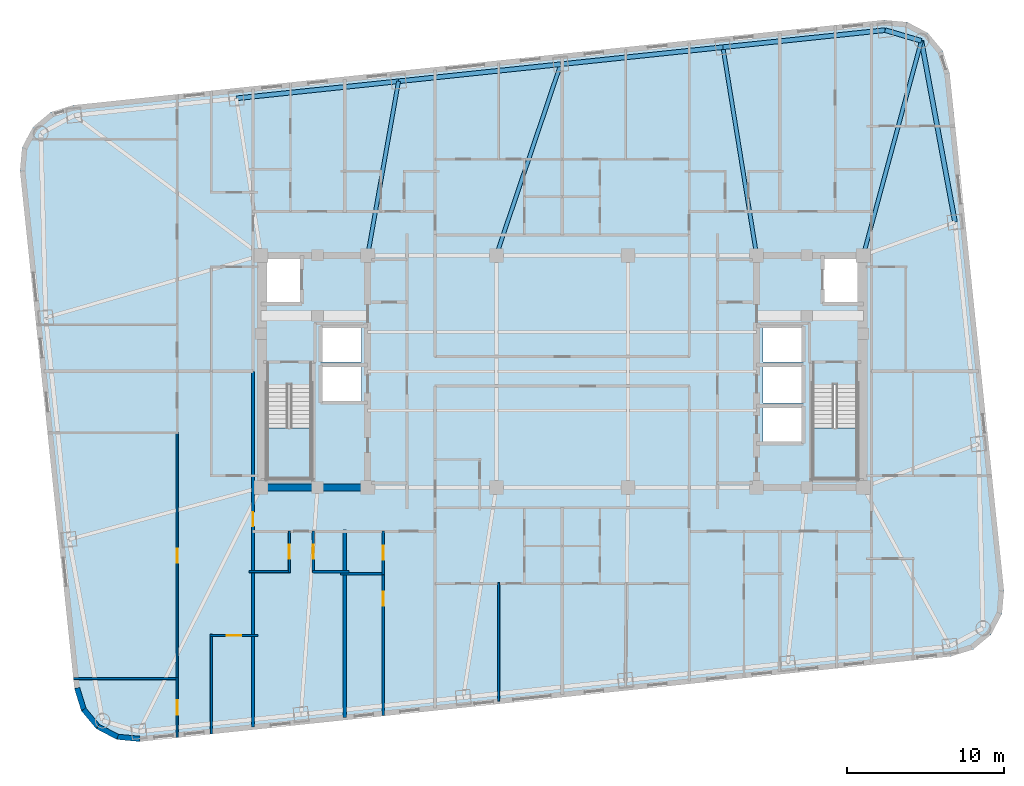
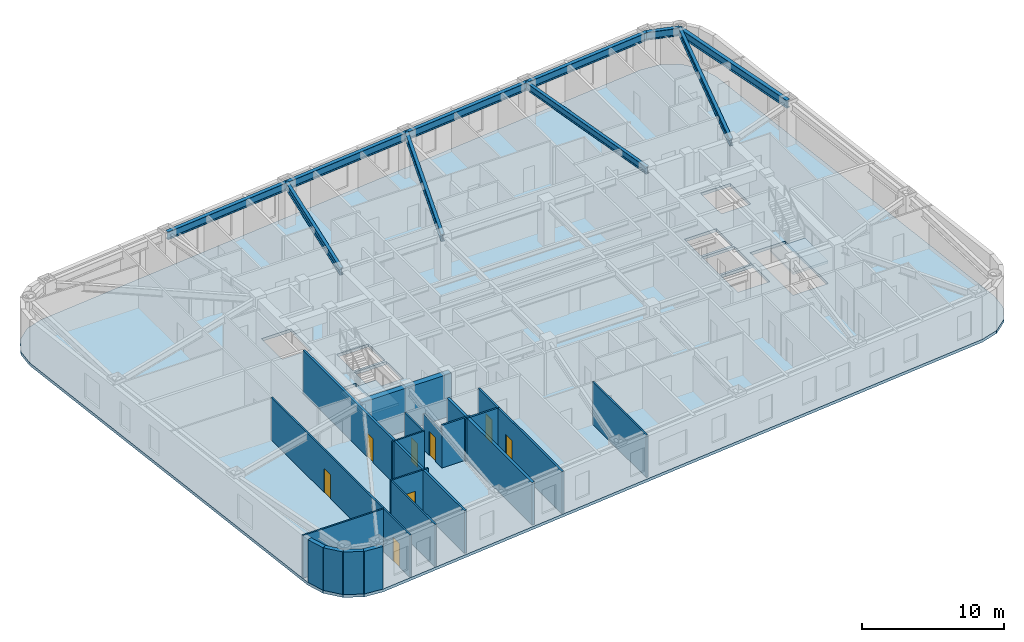
# One storey, part 2 of 12: 20 walls, 10 beams, 8 doors, 3 slabs, 8 openings, 2 elements without a shape of their own.
"""IFC4 building model written with IfcOpenShell, lengths in metres."""

from ifc_helpers import new_model, si_unit, direction, frame, frame_2d, origin, origin_2d, place, context, subcontext, project, spatial, polyline, rectangle, i_section, outline, extrude, material, layer, layer_set, material_profile, profile_set, type_object, element, fill, aggregate, save


model = new_model("IFC4")

# Units and contexts
model_context = context("Model", 3, precision=1e-05, world=origin(), true_north=direction((0.0, 1.0)))
body_context = subcontext(model_context, "Body", "Model", "MODEL_VIEW")
ifc_project = project(units=[si_unit("LENGTHUNIT", "METRE"), si_unit("AREAUNIT", "SQUARE_METRE"), si_unit("VOLUMEUNIT", "CUBIC_METRE"), si_unit("PLANEANGLEUNIT", "RADIAN"), si_unit("MASSUNIT", "GRAM", prefix="KILO")], contexts=[model_context])

# Site, building, storey
site_placement = place(None, origin())
site = spatial("IfcSite", under=ifc_project, at=site_placement, CompositionType="ELEMENT")
building_placement = place(site_placement, origin())
building = spatial("IfcBuilding", under=site, at=building_placement, Name="Voryun Gate Residences", CompositionType="ELEMENT")
storey_placement = place(building_placement, frame((0.0, 0.0, 187.199951171875)))
storey = spatial("IfcBuildingStorey", under=building, at=storey_placement, Name="L46", CompositionType="ELEMENT", Elevation=187.199951171875)

# Beams
ifc_material_1 = material(Name="Steel SM355", Category="steel")
ifc_material_profile_1 = material_profile(ifc_material_1, i_section(OverallWidth=0.300048828125, OverallDepth=0.679931640625, WebThickness=0.013916015625, FlangeThickness=0.02490234375, FilletRadius=0.01806640625, at=origin_2d()), Name="H-680x300x14x25")
ifc_profile_set_1 = profile_set([ifc_material_profile_1], Name="Steel SM355")
beam_type_1 = type_object("IfcBeamType", Name="BM_EXO_SPANDREL_M", PredefinedType="SPANDREL", material=ifc_profile_set_1)
beam_1_placement = place(storey_placement, frame((25.047119140625, 9.51806640625, 3.31005859375), z_axis=(-0.182267768769, 0.983248931079, 0.0), x_axis=(-0.983248931079, -0.182267768769, 0.0)))
element("IfcBeam", 1, at=beam_1_placement, inside=storey, type_object=beam_type_1, Name="BM-L46-SPAND-09", PredefinedType="SPANDREL", context=body_context, shape_type="SweptSolid", body=[
    extrude(i_section(OverallWidth=0.300048828125, OverallDepth=0.679931640625, WebThickness=0.013916015625, FlangeThickness=0.02490234375, FilletRadius=0.01806640625, at=origin_2d()), origin(), (0.0, 0.0, 1.0), 11.753662109375),
])
beam_2_placement = place(storey_placement, frame((22.90478515625, 21.074951171875, 3.31005859375), z_axis=(-0.958843048967, 0.283936625758, 0.0), x_axis=(-0.283936625758, -0.958843048967, 0.0)))
element("IfcBeam", 2, at=beam_2_placement, inside=storey, type_object=beam_type_1, Name="BM-L46-SPAND-10", PredefinedType="SPANDREL", context=body_context, shape_type="SweptSolid", body=[
    extrude(i_section(OverallWidth=0.300048828125, OverallDepth=0.679931640625, WebThickness=0.013916015625, FlangeThickness=0.02490234375, FilletRadius=0.01806640625, at=origin_2d()), origin(), (0.0, 0.0, 1.0), 2.410888671875),
])
for number, where, z_axis, x_axis, name in (
    (3, (20.593017578125, 21.759521484375, 3.31005859375), (-0.994521263116, -0.104534478571, 0.0), (0.104534478571, -0.994521263116, 0.0), "BM-L46-SPAND-11"),
    (4, (10.25, 20.67236328125, 3.31005859375), (-0.99452370336, -0.10451125994, 0.0), (0.10451125994, -0.99452370336, 0.0), "BM-L46-SPAND-12"),
    (5, (-0.093017578125, 19.58544921875, 3.31005859375), (-0.994521263116, -0.104534478571, 0.0), (0.104534478571, -0.994521263116, 0.0), "BM-L46-SPAND-13"),
    (6, (-10.43603515625, 18.498291015625, 3.31005859375), (-0.994521263116, -0.104534478571, 0.0), (0.104534478571, -0.994521263116, 0.0), "BM-L46-SPAND-14"),
):
    element("IfcBeam", number, at=place(storey_placement, frame(where, z_axis=z_axis, x_axis=x_axis)), inside=storey, type_object=beam_type_1, Name=name, PredefinedType="SPANDREL", context=body_context, shape_type="SweptSolid", body=[
        extrude(i_section(OverallWidth=0.300048828125, OverallDepth=0.679931640625, WebThickness=0.013916015625, FlangeThickness=0.02490234375, FilletRadius=0.01806640625, at=origin_2d()), origin(), (0.0, 0.0, 1.0), 10.39990234375),
    ])
ifc_material_2 = material(Name="Steel SM355", Category="steel")
ifc_material_profile_2 = material_profile(ifc_material_2, i_section(OverallWidth=0.25, OverallDepth=0.60009765625, WebThickness=0.011962890625, FlangeThickness=0.02197265625, FilletRadius=0.01806640625, at=origin_2d()), Name="H-600x250x12x22")
ifc_profile_set_2 = profile_set([ifc_material_profile_2], Name="Steel SM355")
beam_type_2 = type_object("IfcBeamType", Name="BM_GIRD_600", PredefinedType="USERDEFINED", material=ifc_profile_set_2)
beam_3_placement = place(storey_placement, frame((19.199951171875, 7.39990234375, 3.35009765625), z_axis=(0.261492735838, 0.965205443988, 0.0), x_axis=(-0.965205443988, 0.261492735838, 0.0)))
element("IfcBeam", 7, at=beam_3_placement, inside=storey, type_object=beam_type_2, Name="BM-L46-RAD-CNE", ObjectType="GIRDER", PredefinedType="USERDEFINED", context=body_context, shape_type="SweptSolid", body=[
    extrude(i_section(OverallWidth=0.25, OverallDepth=0.60009765625, WebThickness=0.011962890625, FlangeThickness=0.02197265625, FilletRadius=0.01806640625, at=origin_2d()), origin(), (0.0, 0.0, 1.0), 14.16796875),
])
beam_4_placement = place(storey_placement, frame((12.39990234375, 7.39990234375, 3.35009765625), z_axis=(-0.159898055533, 0.987133532931, 0.0), x_axis=(-0.987133532931, -0.159898055533, 0.0)))
element("IfcBeam", 8, at=beam_4_placement, inside=storey, type_object=beam_type_2, Name="BM-L46-RAD-N2", ObjectType="GIRDER", PredefinedType="USERDEFINED", context=body_context, shape_type="SweptSolid", body=[
    extrude(i_section(OverallWidth=0.25, OverallDepth=0.60009765625, WebThickness=0.011962890625, FlangeThickness=0.02197265625, FilletRadius=0.01806640625, at=origin_2d()), origin(), (0.0, 0.0, 1.0), 13.445556640625),
])
beam_5_placement = place(storey_placement, frame((-4.199951171875, 7.39990234375, 3.35009765625), z_axis=(0.319381479956, 0.947626229197, 0.0), x_axis=(-0.947626229197, 0.319381479956, 0.0)))
element("IfcBeam", 9, at=beam_5_placement, inside=storey, type_object=beam_type_2, Name="BM-L46-RAD-N3", ObjectType="GIRDER", PredefinedType="USERDEFINED", context=body_context, shape_type="SweptSolid", body=[
    extrude(i_section(OverallWidth=0.25, OverallDepth=0.60009765625, WebThickness=0.011962890625, FlangeThickness=0.02197265625, FilletRadius=0.01806640625, at=origin_2d()), origin(), (0.0, 0.0, 1.0), 12.859130859375),
])
beam_6_placement = place(storey_placement, frame((-12.39990234375, 7.39990234375, 3.35009765625), z_axis=(0.174243764839, 0.984702549207, 0.0), x_axis=(-0.984702549207, 0.174243764839, 0.0)))
element("IfcBeam", 10, at=beam_6_placement, inside=storey, type_object=beam_type_2, Name="BM-L46-RAD-N4", ObjectType="GIRDER", PredefinedType="USERDEFINED", context=body_context, shape_type="SweptSolid", body=[
    extrude(i_section(OverallWidth=0.25, OverallDepth=0.60009765625, WebThickness=0.011962890625, FlangeThickness=0.02197265625, FilletRadius=0.01806640625, at=origin_2d()), origin(), (0.0, 0.0, 1.0), 11.270751953125),
])

# Slab
ifc_material_3 = material(Name="Concrete C40/50", Category="concrete")
ifc_layer_1 = layer(ifc_material_3, 0.25, Name="SLB_RES_250")
ifc_layer_set_1 = layer_set([ifc_layer_1], Name="Concrete C40/50")
slab_type_1 = type_object("IfcSlabType", Name="SLB_RES_250", PredefinedType="FLOOR", material=ifc_layer_set_1)
slab_1_placement = place(storey_placement, frame((0.0, 0.0, -0.25)))
element("IfcSlab", 11, at=slab_1_placement, inside=storey, type_object=slab_type_1, Name="L46 Structural Floor Slab", PredefinedType="FLOOR", context=body_context, shape_type="SweptSolid", body=[
    extrude(outline(polyline([(-26.92529296875, -23.60595703125), (-28.401611328125, -23.47021484375), (-29.7138671875, -22.780029296875), (-30.661865234375, -21.639892578125), (-31.1015625, -20.22412109375), (-34.572021484375, 12.794189453125), (-34.436279296875, 14.2705078125), (-33.745849609375, 15.582763671875), (-32.60595703125, 16.53076171875), (-31.18994140625, 16.970458984375), (20.525146484375, 22.406005859375), (22.001708984375, 22.270263671875), (23.313720703125, 21.580078125), (24.261962890625, 20.43994140625), (24.70166015625, 19.02392578125), (28.171875, -13.994140625), (28.036376953125, -15.470458984375), (27.345947265625, -16.78271484375), (26.2060546875, -17.730712890625), (24.7900390625, -18.17041015625), (-26.92529296875, -23.60595703125)]), holes=[polyline([(-15.97509765625, -6.85009765625), (-15.97509765625, -0.840087890625), (-18.824951171875, -0.840087890625), (-18.824951171875, -6.85009765625), (-15.97509765625, -6.85009765625)]), polyline([(18.824951171875, -6.85009765625), (18.824951171875, -0.840087890625), (15.97509765625, -0.840087890625), (15.97509765625, -6.85009765625), (18.824951171875, -6.85009765625)]), polyline([(15.39990234375, -2.199951171875), (12.800048828125, -2.199951171875), (12.800048828125, -4.60009765625), (15.39990234375, -4.60009765625), (15.39990234375, -2.199951171875)]), polyline([(-12.800048828125, 0.39990234375), (-15.39990234375, 0.39990234375), (-15.39990234375, -2.0), (-12.800048828125, -2.0), (-12.800048828125, 0.39990234375)]), polyline([(15.39990234375, 0.39990234375), (12.800048828125, 0.39990234375), (12.800048828125, -2.0), (15.39990234375, -2.0), (15.39990234375, 0.39990234375)]), polyline([(-12.800048828125, 2.89990234375), (-15.39990234375, 2.89990234375), (-15.39990234375, 0.60009765625), (-12.800048828125, 0.60009765625), (-12.800048828125, 2.89990234375)]), polyline([(15.39990234375, 2.89990234375), (12.800048828125, 2.89990234375), (12.800048828125, 0.60009765625), (15.39990234375, 0.60009765625), (15.39990234375, 2.89990234375)]), polyline([(-16.60009765625, 4.300048828125), (-16.60009765625, 7.199951171875), (-19.0, 7.199951171875), (-19.0, 4.300048828125), (-16.60009765625, 4.300048828125)]), polyline([(19.0, 4.300048828125), (19.0, 7.199951171875), (16.60009765625, 7.199951171875), (16.60009765625, 4.300048828125), (19.0, 4.300048828125)])]), origin(), (0.0, 0.0, 1.0), 0.25),
])

# Stair, slab
ifc_material_4 = material(Name="Concrete C40/50", Category="concrete")
stair_type = type_object("IfcStairType", Name="STR_CORE_DOGLEG_1350", PredefinedType="HALF_TURN_STAIR", material=ifc_material_4)
stair_1_placement = place(storey_placement, origin())
stair_1 = element("IfcStair", 12, at=stair_1_placement, inside=storey, type_object=stair_type, Name="L46 Special Escape Stair ST-W1", PredefinedType="HALF_TURN_STAIR")
ifc_material_5 = material(Name="Concrete C40/50", Category="concrete")
ifc_layer_2 = layer(ifc_material_5, 0.199951171875, Name="SLB_STAIR_LANDING_200")
ifc_layer_set_2 = layer_set([ifc_layer_2], Name="Concrete C40/50")
slab_type_2 = type_object("IfcSlabType", Name="SLB_STAIR_LANDING_200", PredefinedType="LANDING", material=ifc_layer_set_2)
slab_2_placement = place(storey_placement, frame((0.0, 0.0, 1.75)))
slab_2 = element("IfcSlab", 13, at=slab_2_placement, type_object=slab_type_2, Name="ST-W1 landing 1", PredefinedType="LANDING", context=body_context, shape_type="SweptSolid", body=[
    extrude(outline(polyline([(-18.824951171875, -3.60009765625), (-18.824951171875, -6.85009765625), (-15.97509765625, -6.85009765625), (-15.97509765625, -3.60009765625), (-18.824951171875, -3.60009765625)])), origin(), (0.0, 0.0, 1.0), 0.199951171875),
])
aggregate(stair_1, [slab_2])

stair_2_placement = place(storey_placement, origin())
stair_2 = element("IfcStair", 14, at=stair_2_placement, inside=storey, type_object=stair_type, Name="L46 Special Escape Stair ST-E1", PredefinedType="HALF_TURN_STAIR")
slab_3_placement = place(storey_placement, frame((0.0, 0.0, 1.75)))
slab_3 = element("IfcSlab", 15, at=slab_3_placement, type_object=slab_type_2, Name="ST-E1 landing 1", PredefinedType="LANDING", context=body_context, shape_type="SweptSolid", body=[
    extrude(outline(polyline([(15.97509765625, -3.60009765625), (15.97509765625, -6.85009765625), (18.824951171875, -6.85009765625), (18.824951171875, -3.60009765625), (15.97509765625, -3.60009765625)])), origin(), (0.0, 0.0, 1.0), 0.199951171875),
])
aggregate(stair_2, [slab_3])

# Wall
ifc_material_6 = material(Name="Concrete C50/60", Category="concrete")
ifc_layer_3 = layer(ifc_material_6, 0.449951171875, Name="CW_CORE_450")
ifc_layer_set_3 = layer_set([ifc_layer_3], Name="Concrete C50/60")
wall_type_1 = type_object("IfcWallType", Name="CW_CORE_450", PredefinedType="SHEAR", material=ifc_layer_set_3)
wall_1_placement = place(storey_placement, frame((-19.425048828125, -7.39990234375, 0.0), z_axis=(0.0, 0.0, 1.0), x_axis=(1.0, 0.0, 0.0)))
element("IfcWall", 16, at=wall_1_placement, inside=storey, type_object=wall_type_1, Name="L46 Core shear wall CW-L46-WS", PredefinedType="SHEAR", context=body_context, shape_type="SweptSolid", body=[
    extrude(rectangle(XDim=7.25, YDim=0.449951171875, at=frame_2d((3.625, 0.0))), origin(), (0.0, 0.0, 1.0), 3.650146484375),
])

# Wall, opening, door
ifc_material_7 = material(Name="Gypsum acoustic fireboard")
ifc_layer_4 = layer(ifc_material_7, 0.179931640625, Name="W_CORR_RATED_180")
ifc_layer_set_4 = layer_set([ifc_layer_4], Name="Gypsum acoustic fireboard")
wall_type_2 = type_object("IfcWallType", Name="W_CORR_RATED_180", PredefinedType="PARTITIONING", material=ifc_layer_set_4)
wall_2_placement = place(storey_placement, frame((-19.719970703125, -22.677734375, 0.0), z_axis=(0.0, 0.0, 1.0), x_axis=(0.0, 1.0, 0.0)))
wall_2 = element("IfcWall", 17, at=wall_2_placement, inside=storey, type_object=wall_type_2, Name="Partition wall WP-L46-WCOR1", PredefinedType="PARTITIONING", context=body_context, shape_type="SweptSolid", body=[
    extrude(rectangle(XDim=22.677734375, YDim=0.179931640625, at=frame_2d((11.3388671875, 0.0))), origin(), (0.0, 0.0, 1.0), 3.650146484375),
])
opening_1_placement = place(wall_2_placement, frame((12.79833984375, 0.0, 0.0)))
opening_1 = element("IfcOpeningElement", 18, at=opening_1_placement, cuts=wall_2, Name="Opening D-INT-2", PredefinedType="OPENING", context=body_context, shape_type="SweptSolid", body=[
    extrude(rectangle(XDim=0.89990234375, YDim=2.050048828125, at=frame_2d((0.449951171875, 1.02490234375))), frame((0.0, 0.099853515625, 0.0), z_axis=(0.0, -1.0, 0.0), x_axis=(1.0, 0.0, 0.0)), (0.0, 0.0, 1.0), 0.199951171875),
])
ifc_material_8 = material(Name="Architectural oak veneer")
door_type_1 = type_object("IfcDoorType", Name="DR_INT_BATH_900", OperationType="NOTDEFINED", PredefinedType="DOOR", material=ifc_material_8)
door_1_placement = place(opening_1_placement, origin())
door_1 = element("IfcDoor", 19, at=door_1_placement, inside=storey, type_object=door_type_1, Name="Door DR-L46-WE1", OperationType="SINGLE_SWING_LEFT", OverallHeight=2.050048828125, OverallWidth=0.89990234375, PredefinedType="DOOR", context=body_context, shape_type="SweptSolid", body=[
    extrude(rectangle(XDim=0.89990234375, YDim=2.050048828125, at=frame_2d((0.449951171875, 1.02490234375))), frame((0.0, 0.02490234375, 0.0), z_axis=(0.0, -1.0, 0.0), x_axis=(1.0, 0.0, 0.0)), (0.0, 0.0, 1.0), 0.050048828125),
])
fill(opening_1, door_1)

# Walls
ifc_material_9 = material(Name="Charcoal terracotta masonry", Category="masonry")
ifc_layer_5 = layer(ifc_material_9, 0.340087890625, Name="W_EXT_TERRACOTTA_340")
ifc_layer_set_5 = layer_set([ifc_layer_5], Name="Charcoal terracotta masonry")
wall_type_3 = type_object("IfcWallType", Name="W_EXT_TERRACOTTA_340", PredefinedType="ELEMENTEDWALL", material=ifc_layer_set_5)
wall_3_placement = place(storey_placement, frame((-26.92626953125, -23.435302734375, 0.0), z_axis=(0.0, 0.0, 1.0), x_axis=(-0.995800460351, 0.091550222087, 0.0)))
element("IfcWall", 20, at=wall_3_placement, inside=storey, type_object=wall_type_3, Name="Exterior wall WEXT-L46-02", PredefinedType="ELEMENTEDWALL", context=body_context, shape_type="SweptSolid", body=[
    extrude(rectangle(XDim=1.43212890625, YDim=0.340087890625, at=frame_2d((0.716064453125, 0.0))), origin(), (0.0, 0.0, 1.0), 3.650146484375),
])
wall_4_placement = place(storey_placement, frame((-28.352294921875, -23.30419921875, 0.0), z_axis=(0.0, 0.0, 1.0), x_axis=(-0.884989312682, 0.465611336243, 0.0)))
element("IfcWall", 21, at=wall_4_placement, inside=storey, type_object=wall_type_3, Name="Exterior wall WEXT-L46-03", PredefinedType="ELEMENTEDWALL", context=body_context, shape_type="SweptSolid", body=[
    extrude(rectangle(XDim=1.415283203125, YDim=0.340087890625, at=frame_2d((0.70751953125, 0.0))), origin(), (0.0, 0.0, 1.0), 3.650146484375),
])
wall_5_placement = place(storey_placement, frame((-29.604736328125, -22.645263671875, 0.0), z_axis=(0.0, 0.0, 1.0), x_axis=(-0.639437361921, 0.768843196093, 0.0)))
element("IfcWall", 22, at=wall_5_placement, inside=storey, type_object=wall_type_3, Name="Exterior wall WEXT-L46-04", PredefinedType="ELEMENTEDWALL", context=body_context, shape_type="SweptSolid", body=[
    extrude(rectangle(XDim=1.4150390625, YDim=0.340087890625, at=frame_2d((0.70751953125, 0.0))), origin(), (0.0, 0.0, 1.0), 3.650146484375),
])
wall_6_placement = place(storey_placement, frame((-30.509521484375, -21.557373046875, 0.0), z_axis=(0.0, 0.0, 1.0), x_axis=(-0.296624409546, 0.9549942197, 0.0)))
element("IfcWall", 23, at=wall_6_placement, inside=storey, type_object=wall_type_3, Name="Exterior wall WEXT-L46-05", PredefinedType="ELEMENTEDWALL", context=body_context, shape_type="SweptSolid", body=[
    extrude(rectangle(XDim=1.43212890625, YDim=0.340087890625, at=frame_2d((0.716064453125, 0.0))), origin(), (0.0, 0.0, 1.0), 3.650146484375),
])
ifc_material_10 = material(Name="Concrete C40/50", Category="concrete")
ifc_layer_6 = layer(ifc_material_10, 0.219970703125, Name="W_PARTY_ACOUSTIC_220")
ifc_layer_set_6 = layer_set([ifc_layer_6], Name="Concrete C40/50")
wall_type_4 = type_object("IfcWallType", Name="W_PARTY_ACOUSTIC_220", PredefinedType="PARTITIONING", material=ifc_layer_set_6)
wall_7_placement = place(storey_placement, frame((-13.864990234375, -22.0625, 0.0), z_axis=(0.0, 0.0, 1.0), x_axis=(0.0, 1.0, 0.0)))
element("IfcWall", 24, at=wall_7_placement, inside=storey, type_object=wall_type_4, Name="Partition wall WP-L46-SPTY-1", PredefinedType="PARTITIONING", context=body_context, shape_type="SweptSolid", body=[
    extrude(rectangle(XDim=11.9423828125, YDim=0.219970703125, at=frame_2d((5.97119140625, 0.0))), origin(), (0.0, 0.0, 1.0), 3.650146484375),
])

# Wall, opening, door
ifc_material_11 = material(Name="Gypsum acoustic partition")
ifc_layer_7 = layer(ifc_material_11, 0.125, Name="W_UNIT_PART_125")
ifc_layer_set_7 = layer_set([ifc_layer_7], Name="Gypsum acoustic partition")
wall_type_5 = type_object("IfcWallType", Name="W_UNIT_PART_125", PredefinedType="PARTITIONING", material=ifc_layer_set_7)
wall_8_placement = place(storey_placement, frame((-17.39990234375, -12.830078125, 0.0), z_axis=(0.0, 0.0, 1.0), x_axis=(0.0, 1.0, 0.0)))
wall_8 = element("IfcWall", 25, at=wall_8_placement, inside=storey, type_object=wall_type_5, Name="Partition wall WP-L46-S1-CVK", PredefinedType="PARTITIONING", context=body_context, shape_type="SweptSolid", body=[
    extrude(rectangle(XDim=2.650146484375, YDim=0.125, at=frame_2d((1.3251953125, 0.0))), origin(), (0.0, 0.0, 1.0), 3.650146484375),
])
opening_2_placement = place(wall_8_placement, frame((0.875, 0.0, 0.0)))
opening_2 = element("IfcOpeningElement", 26, at=opening_2_placement, cuts=wall_8, Name="Opening D-INT-2", PredefinedType="OPENING", context=body_context, shape_type="SweptSolid", body=[
    extrude(rectangle(XDim=0.89990234375, YDim=2.050048828125, at=frame_2d((0.449951171875, 1.02490234375))), frame((0.0, 0.072509765625, 0.0), z_axis=(0.0, -1.0, 0.0), x_axis=(1.0, 0.0, 0.0)), (0.0, 0.0, 1.0), 0.14501953125),
])
door_2_placement = place(opening_2_placement, origin())
door_2 = element("IfcDoor", 27, at=door_2_placement, inside=storey, type_object=door_type_1, Name="Door DR-L46-S1-DK", OperationType="SINGLE_SWING_LEFT", OverallHeight=2.050048828125, OverallWidth=0.89990234375, PredefinedType="DOOR", context=body_context, shape_type="SweptSolid", body=[
    extrude(rectangle(XDim=0.89990234375, YDim=2.050048828125, at=frame_2d((0.449951171875, 1.02490234375))), frame((0.0, 0.02490234375, 0.0), z_axis=(0.0, -1.0, 0.0), x_axis=(1.0, 0.0, 0.0)), (0.0, 0.0, 1.0), 0.050048828125),
])
fill(opening_2, door_2)

# Walls
wall_9_placement = place(storey_placement, frame((-19.969970703125, -12.77001953125, 0.0), z_axis=(0.0, 0.0, 1.0), x_axis=(1.0, 0.0, 0.0)))
element("IfcWall", 28, at=wall_9_placement, inside=storey, type_object=wall_type_5, Name="Partition wall WP-L46-S1-CHK", PredefinedType="PARTITIONING", context=body_context, shape_type="SweptSolid", body=[
    extrude(rectangle(XDim=2.6298828125, YDim=0.125, at=frame_2d((1.31494140625, 0.0))), origin(), (0.0, 0.0, 1.0), 3.650146484375),
])
wall_10_placement = place(storey_placement, frame((-4.050048828125, -21.03076171875, 0.0), z_axis=(0.0, 0.0, 1.0), x_axis=(0.0, 1.0, 0.0)))
element("IfcWall", 29, at=wall_10_placement, inside=storey, type_object=wall_type_5, Name="Partition wall WP-L46-SC1-VBD", PredefinedType="PARTITIONING", context=body_context, shape_type="SweptSolid", body=[
    extrude(rectangle(XDim=7.540771484375, YDim=0.125, at=frame_2d((3.7705078125, 0.0))), origin(), (0.0, 0.0, 1.0), 3.650146484375),
])
wall_11_placement = place(storey_placement, frame((-31.148681640625, -19.583984375, 0.0), z_axis=(0.0, 0.0, 1.0), x_axis=(1.0, 0.0, 0.0)))
element("IfcWall", 30, at=wall_11_placement, inside=storey, type_object=wall_type_5, Name="Partition wall WP-L46-W1-OH1", PredefinedType="PARTITIONING", context=body_context, shape_type="SweptSolid", body=[
    extrude(rectangle(XDim=6.6787109375, YDim=0.125, at=frame_2d((3.33935546875, 0.0))), origin(), (0.0, 0.0, 1.0), 3.650146484375),
])

# Wall, opening, door
wall_12_placement = place(storey_placement, frame((-24.550048828125, -23.336181640625, 0.0), z_axis=(0.0, 0.0, 1.0), x_axis=(0.0, 1.0, 0.0)))
wall_12 = element("IfcWall", 31, at=wall_12_placement, inside=storey, type_object=wall_type_5, Name="Partition wall WP-L46-W1-OVX1", PredefinedType="PARTITIONING", context=body_context, shape_type="SweptSolid", body=[
    extrude(rectangle(XDim=3.80224609375, YDim=0.125, at=frame_2d((1.901123046875, 0.0))), origin(), (0.0, 0.0, 1.0), 3.650146484375),
])
opening_3_placement = place(wall_12_placement, frame((1.451171875, 0.0, 0.0)))
opening_3 = element("IfcOpeningElement", 32, at=opening_3_placement, cuts=wall_12, Name="Opening D-INT-2", PredefinedType="OPENING", context=body_context, shape_type="SweptSolid", body=[
    extrude(rectangle(XDim=0.89990234375, YDim=2.050048828125, at=frame_2d((0.449951171875, 1.02490234375))), frame((0.0, 0.072509765625, 0.0), z_axis=(0.0, -1.0, 0.0), x_axis=(1.0, 0.0, 0.0)), (0.0, 0.0, 1.0), 0.14501953125),
])
door_3_placement = place(opening_3_placement, origin())
door_3 = element("IfcDoor", 33, at=door_3_placement, inside=storey, type_object=door_type_1, Name="Door DR-L46-W1-DBD2", OperationType="SINGLE_SWING_LEFT", OverallHeight=2.050048828125, OverallWidth=0.89990234375, PredefinedType="DOOR", context=body_context, shape_type="SweptSolid", body=[
    extrude(rectangle(XDim=0.89990234375, YDim=2.050048828125, at=frame_2d((0.449951171875, 1.02490234375))), frame((0.0, 0.02490234375, 0.0), z_axis=(0.0, -1.0, 0.0), x_axis=(1.0, 0.0, 0.0)), (0.0, 0.0, 1.0), 0.050048828125),
])
fill(opening_3, door_3)

wall_13_placement = place(storey_placement, frame((-24.550048828125, -19.634033203125, 0.0), z_axis=(0.0, 0.0, 1.0), x_axis=(0.0, 1.0, 0.0)))
wall_13 = element("IfcWall", 34, at=wall_13_placement, inside=storey, type_object=wall_type_5, Name="Partition wall WP-L46-W1-OVX2", PredefinedType="PARTITIONING", context=body_context, shape_type="SweptSolid", body=[
    extrude(rectangle(XDim=15.76611328125, YDim=0.125, at=frame_2d((7.883056640625, 0.0))), origin(), (0.0, 0.0, 1.0), 3.650146484375),
])
opening_4_placement = place(wall_13_placement, frame((7.43310546875, 0.0, 0.0)))
opening_4 = element("IfcOpeningElement", 35, at=opening_4_placement, cuts=wall_13, Name="Opening D-INT-2", PredefinedType="OPENING", context=body_context, shape_type="SweptSolid", body=[
    extrude(rectangle(XDim=0.89990234375, YDim=2.050048828125, at=frame_2d((0.449951171875, 1.02490234375))), frame((0.0, 0.072509765625, 0.0), z_axis=(0.0, -1.0, 0.0), x_axis=(1.0, 0.0, 0.0)), (0.0, 0.0, 1.0), 0.14501953125),
])
door_4_placement = place(opening_4_placement, origin())
door_4 = element("IfcDoor", 36, at=door_4_placement, inside=storey, type_object=door_type_1, Name="Door DR-L46-W1-DSTD", OperationType="SINGLE_SWING_RIGHT", OverallHeight=2.050048828125, OverallWidth=0.89990234375, PredefinedType="DOOR", context=body_context, shape_type="SweptSolid", body=[
    extrude(rectangle(XDim=0.89990234375, YDim=2.050048828125, at=frame_2d((0.449951171875, 1.02490234375))), frame((0.0, 0.02490234375, 0.0), z_axis=(0.0, -1.0, 0.0), x_axis=(1.0, 0.0, 0.0)), (0.0, 0.0, 1.0), 0.050048828125),
])
fill(opening_4, door_4)

wall_14_placement = place(storey_placement, frame((-22.449951171875, -16.842041015625, 0.0), z_axis=(0.0, 0.0, 1.0), x_axis=(1.0, 0.0, 0.0)))
wall_14 = element("IfcWall", 37, at=wall_14_placement, inside=storey, type_object=wall_type_5, Name="Partition wall WP-L46-W1-IKA", PredefinedType="PARTITIONING", context=body_context, shape_type="SweptSolid", body=[
    extrude(rectangle(XDim=3.050048828125, YDim=0.125, at=frame_2d((1.52490234375, 0.0))), origin(), (0.0, 0.0, 1.0), 3.650146484375),
])
opening_5_placement = place(wall_14_placement, frame((1.050048828125, 0.0, 0.0)))
opening_5 = element("IfcOpeningElement", 38, at=opening_5_placement, cuts=wall_14, Name="Opening D-INT-1", PredefinedType="OPENING", context=body_context, shape_type="SweptSolid", body=[
    extrude(rectangle(XDim=0.949951171875, YDim=2.050048828125, at=frame_2d((0.47509765625, 1.02490234375))), frame((0.0, 0.072509765625, 0.0), z_axis=(0.0, -1.0, 0.0), x_axis=(1.0, 0.0, 0.0)), (0.0, 0.0, 1.0), 0.14501953125),
])
ifc_material_12 = material(Name="Architectural oak veneer")
door_type_2 = type_object("IfcDoorType", Name="DR_INT_ROOM_950", OperationType="NOTDEFINED", PredefinedType="DOOR", material=ifc_material_12)
door_5_placement = place(opening_5_placement, origin())
door_5 = element("IfcDoor", 39, at=door_5_placement, inside=storey, type_object=door_type_2, Name="Door DR-L46-W1-DK", OperationType="SINGLE_SWING_LEFT", OverallHeight=2.050048828125, OverallWidth=0.949951171875, PredefinedType="DOOR", context=body_context, shape_type="SweptSolid", body=[
    extrude(rectangle(XDim=0.949951171875, YDim=2.050048828125, at=frame_2d((0.47509765625, 1.02490234375))), frame((0.0, 0.02490234375, 0.0), z_axis=(0.0, -1.0, 0.0), x_axis=(1.0, 0.0, 0.0)), (0.0, 0.0, 1.0), 0.050048828125),
])
fill(opening_5, door_5)

# Wall
wall_15_placement = place(storey_placement, frame((-22.3701171875, -23.107177734375, 0.0), z_axis=(0.0, 0.0, 1.0), x_axis=(0.0, 1.0, 0.0)))
element("IfcWall", 40, at=wall_15_placement, inside=storey, type_object=wall_type_5, Name="Partition wall WP-L46-W1-VTA", PredefinedType="PARTITIONING", context=body_context, shape_type="SweptSolid", body=[
    extrude(rectangle(XDim=6.34521484375, YDim=0.125, at=frame_2d((3.172607421875, 0.0))), origin(), (0.0, 0.0, 1.0), 3.650146484375),
])

# Wall, opening, door
ifc_material_13 = material(Name="Gypsum moisture-resistant partition")
ifc_layer_8 = layer(ifc_material_13, 0.14990234375, Name="W_WET_PLUMB_150")
ifc_layer_set_8 = layer_set([ifc_layer_8], Name="Gypsum moisture-resistant partition")
wall_type_6 = type_object("IfcWallType", Name="W_WET_PLUMB_150", PredefinedType="PLUMBINGWALL", material=ifc_layer_set_8)
wall_16_placement = place(storey_placement, frame((-15.8720703125, -12.830078125, 0.0), z_axis=(0.0, 0.0, 1.0), x_axis=(0.0, 1.0, 0.0)))
wall_16 = element("IfcWall", 41, at=wall_16_placement, inside=storey, type_object=wall_type_6, Name="Partition wall WP-L46-S1-CVB", PredefinedType="PLUMBINGWALL", context=body_context, shape_type="SweptSolid", body=[
    extrude(rectangle(XDim=2.650146484375, YDim=0.14990234375, at=frame_2d((1.3251953125, 0.0))), origin(), (0.0, 0.0, 1.0), 3.0400390625),
])
opening_6_placement = place(wall_16_placement, frame((0.875, 0.0, 0.0)))
opening_6 = element("IfcOpeningElement", 42, at=opening_6_placement, cuts=wall_16, Name="Opening D-INT-2", PredefinedType="OPENING", context=body_context, shape_type="SweptSolid", body=[
    extrude(rectangle(XDim=0.89990234375, YDim=2.050048828125, at=frame_2d((0.449951171875, 1.02490234375))), frame((0.0, 0.0849609375, 0.0), z_axis=(0.0, -1.0, 0.0), x_axis=(1.0, 0.0, 0.0)), (0.0, 0.0, 1.0), 0.169921875),
])
door_6_placement = place(opening_6_placement, origin())
door_6 = element("IfcDoor", 43, at=door_6_placement, inside=storey, type_object=door_type_1, Name="Door DR-L46-S1-DB", OperationType="SINGLE_SWING_RIGHT", OverallHeight=2.050048828125, OverallWidth=0.89990234375, PredefinedType="DOOR", context=body_context, shape_type="SweptSolid", body=[
    extrude(rectangle(XDim=0.89990234375, YDim=2.050048828125, at=frame_2d((0.449951171875, 1.02490234375))), frame((0.0, 0.02490234375, 0.0), z_axis=(0.0, -1.0, 0.0), x_axis=(1.0, 0.0, 0.0)), (0.0, 0.0, 1.0), 0.050048828125),
])
fill(opening_6, door_6)

# Walls
wall_17_placement = place(storey_placement, frame((-15.931884765625, -12.77001953125, 0.0), z_axis=(0.0, 0.0, 1.0), x_axis=(1.0, 0.0, 0.0)))
element("IfcWall", 44, at=wall_17_placement, inside=storey, type_object=wall_type_6, Name="Partition wall WP-L46-S1-CHB", PredefinedType="PLUMBINGWALL", context=body_context, shape_type="SweptSolid", body=[
    extrude(rectangle(XDim=2.326904296875, YDim=0.14990234375, at=frame_2d((1.16357421875, 0.0))), origin(), (0.0, 0.0, 1.0), 3.650146484375),
])
wall_18_placement = place(storey_placement, frame((-14.125, -12.89990234375, 0.0), z_axis=(0.0, 0.0, 1.0), x_axis=(1.0, 0.0, 0.0)))
element("IfcWall", 45, at=wall_18_placement, inside=storey, type_object=wall_type_6, Name="Partition wall WP-L46-S2-SKB", PredefinedType="PLUMBINGWALL", context=body_context, shape_type="SweptSolid", body=[
    extrude(rectangle(XDim=2.802001953125, YDim=0.14990234375, at=frame_2d((1.40087890625, 0.0))), origin(), (0.0, 0.0, 1.0), 3.650146484375),
])

# Wall, opening, door
wall_19_placement = place(storey_placement, frame((-11.403076171875, -21.954345703125, 0.0), z_axis=(0.0, 0.0, 1.0), x_axis=(0.0, 1.0, 0.0)))
wall_19 = element("IfcWall", 46, at=wall_19_placement, inside=storey, type_object=wall_type_6, Name="Partition wall WP-L46-S2-SVT1", PredefinedType="PLUMBINGWALL", context=body_context, shape_type="SweptSolid", body=[
    extrude(rectangle(XDim=9.09423828125, YDim=0.14990234375, at=frame_2d((4.547119140625, 0.0))), origin(), (0.0, 0.0, 1.0), 3.650146484375),
])
opening_7_placement = place(wall_19_placement, frame((7.00732421875, 0.0, 0.0)))
opening_7 = element("IfcOpeningElement", 47, at=opening_7_placement, cuts=wall_19, Name="Opening D-INT-2", PredefinedType="OPENING", context=body_context, shape_type="SweptSolid", body=[
    extrude(rectangle(XDim=0.89990234375, YDim=2.050048828125, at=frame_2d((0.449951171875, 1.02490234375))), frame((0.0, 0.0849609375, 0.0), z_axis=(0.0, -1.0, 0.0), x_axis=(1.0, 0.0, 0.0)), (0.0, 0.0, 1.0), 0.169921875),
])
door_7_placement = place(opening_7_placement, origin())
door_7 = element("IfcDoor", 48, at=door_7_placement, inside=storey, type_object=door_type_1, Name="Door DR-L46-S2-DK", OperationType="SINGLE_SWING_LEFT", OverallHeight=2.050048828125, OverallWidth=0.89990234375, PredefinedType="DOOR", context=body_context, shape_type="SweptSolid", body=[
    extrude(rectangle(XDim=0.89990234375, YDim=2.050048828125, at=frame_2d((0.449951171875, 1.02490234375))), frame((0.0, 0.02490234375, 0.0), z_axis=(0.0, -1.0, 0.0), x_axis=(1.0, 0.0, 0.0)), (0.0, 0.0, 1.0), 0.050048828125),
])
fill(opening_7, door_7)

wall_20_placement = place(storey_placement, frame((-11.403076171875, -12.93994140625, 0.0), z_axis=(0.0, 0.0, 1.0), x_axis=(0.0, 1.0, 0.0)))
wall_20 = element("IfcWall", 49, at=wall_20_placement, inside=storey, type_object=wall_type_6, Name="Partition wall WP-L46-S2-SVT2", PredefinedType="PLUMBINGWALL", context=body_context, shape_type="SweptSolid", body=[
    extrude(rectangle(XDim=2.760009765625, YDim=0.14990234375, at=frame_2d((1.3798828125, 0.0))), origin(), (0.0, 0.0, 1.0), 3.650146484375),
])
opening_8_placement = place(wall_20_placement, frame((0.929931640625, 0.0, 0.0)))
opening_8 = element("IfcOpeningElement", 50, at=opening_8_placement, cuts=wall_20, Name="Opening D-INT-2", PredefinedType="OPENING", context=body_context, shape_type="SweptSolid", body=[
    extrude(rectangle(XDim=0.89990234375, YDim=2.050048828125, at=frame_2d((0.449951171875, 1.02490234375))), frame((0.0, 0.0849609375, 0.0), z_axis=(0.0, -1.0, 0.0), x_axis=(1.0, 0.0, 0.0)), (0.0, 0.0, 1.0), 0.169921875),
])
door_8_placement = place(opening_8_placement, origin())
door_8 = element("IfcDoor", 51, at=door_8_placement, inside=storey, type_object=door_type_1, Name="Door DR-L46-S2-DB", OperationType="SINGLE_SWING_RIGHT", OverallHeight=2.050048828125, OverallWidth=0.89990234375, PredefinedType="DOOR", context=body_context, shape_type="SweptSolid", body=[
    extrude(rectangle(XDim=0.89990234375, YDim=2.050048828125, at=frame_2d((0.449951171875, 1.02490234375))), frame((0.0, 0.02490234375, 0.0), z_axis=(0.0, -1.0, 0.0), x_axis=(1.0, 0.0, 0.0)), (0.0, 0.0, 1.0), 0.050048828125),
])
fill(opening_8, door_8)

save(model, "model.ifc")
